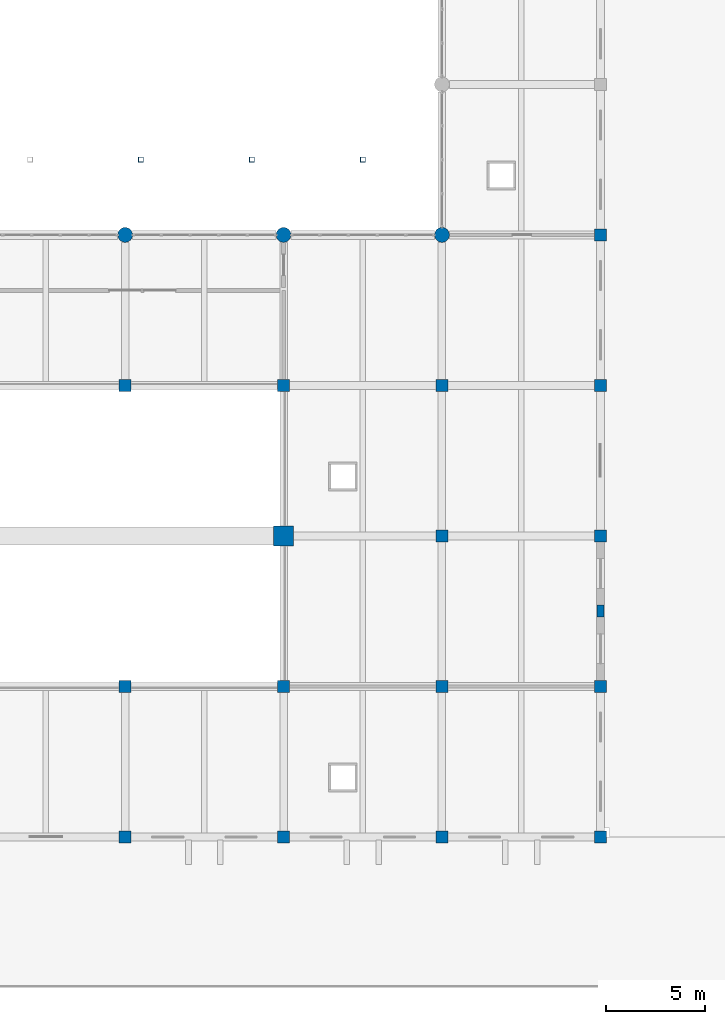
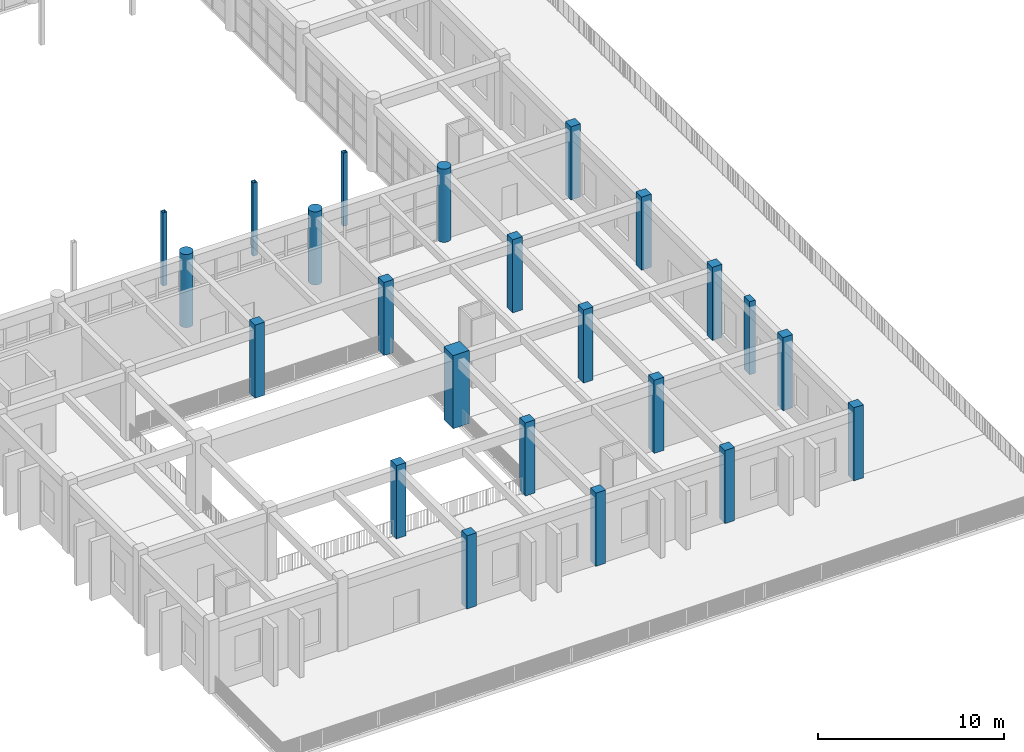
# One storey, part 4 of 101: 23 columns.
"""IFC4 building model written with IfcOpenShell, lengths in metres."""

from ifc_helpers import new_model, si_unit, direction, frame, origin, origin_2d, place, context, subcontext, project, spatial, rectangle, hollow_rectangle, circle, extrude, material, material_profile, profile_set, type_object, element, save


model = new_model("IFC4")

# Units and contexts
model_context = context("Model", 3, precision=1e-05, world=origin(), true_north=direction((0.0, 1.0)))
body_context = subcontext(model_context, "Body", "Model", "MODEL_VIEW")
ifc_project = project(units=[si_unit("LENGTHUNIT", "METRE"), si_unit("AREAUNIT", "SQUARE_METRE"), si_unit("VOLUMEUNIT", "CUBIC_METRE"), si_unit("PLANEANGLEUNIT", "RADIAN"), si_unit("MASSUNIT", "GRAM", prefix="KILO")], contexts=[model_context])

# Site, building, storey
site_placement = place(None, origin())
site = spatial("IfcSite", under=ifc_project, at=site_placement, CompositionType="ELEMENT")
building_placement = place(site_placement, origin())
building = spatial("IfcBuilding", under=site, at=building_placement, Name="Zantavel Square City Hall", CompositionType="ELEMENT")
storey_placement = place(building_placement, frame((0.0, 0.0, 5.39990234375)))
storey = spatial("IfcBuildingStorey", under=building, at=storey_placement, Name="L02", CompositionType="ELEMENT", Elevation=5.39990234375)

# Columns
ifc_material_1 = material(Name="Concrete C40/50", Category="concrete")
ifc_material_profile_1 = material_profile(ifc_material_1, rectangle(XDim=0.60009765625, YDim=0.35009765625, at=origin_2d()), Name="RC 600x350")
ifc_profile_set_1 = profile_set([ifc_material_profile_1], Name="Concrete C40/50")
column_type_1 = type_object("IfcColumnType", Name="Colossal Facade Pilaster 600x350 C40/50", PredefinedType="PILASTER", material=ifc_profile_set_1)
column_1_placement = place(storey_placement, frame((160.0, 19.0, 0.0), z_axis=(0.0, 0.0, 1.0), x_axis=(0.0, 1.0, 0.0)))
element("IfcColumn", 1, at=column_1_placement, inside=storey, type_object=column_type_1, Name="L02 Facade Pilaster PIL-L02-1600-0190", PredefinedType="PILASTER", context=body_context, shape_type="SweptSolid", body=[
    extrude(rectangle(XDim=0.60009765625, YDim=0.35009765625, at=origin_2d()), origin(), (0.0, 0.0, 1.0), 4.800048828125),
])
ifc_material_profile_2 = material_profile(ifc_material_1, rectangle(XDim=1.0, YDim=1.0, at=origin_2d()), Name="RC 1000x1000")
ifc_profile_set_2 = profile_set([ifc_material_profile_2], Name="Concrete C40/50")
column_type_2 = type_object("IfcColumnType", Name="Column RC 1000x1000 C40/50", PredefinedType="COLUMN", material=ifc_profile_set_2)
column_2_placement = place(storey_placement, frame((144.0, 22.800048828125, 0.0), z_axis=(0.0, 0.0, 1.0), x_axis=(1.0, 0.0, 0.0)))
element("IfcColumn", 2, at=column_2_placement, inside=storey, type_object=column_type_2, Name="L02 Column COL-L02-1440-0228", PredefinedType="COLUMN", context=body_context, shape_type="SweptSolid", body=[
    extrude(rectangle(XDim=1.0, YDim=1.0, at=origin_2d()), origin(), (0.0, 0.0, 1.0), 4.800048828125),
])
ifc_material_profile_3 = material_profile(ifc_material_1, rectangle(XDim=0.60009765625, YDim=0.60009765625, at=origin_2d()), Name="RC 600x600")
ifc_profile_set_3 = profile_set([ifc_material_profile_3], Name="Concrete C40/50")
column_type_3 = type_object("IfcColumnType", Name="Column RC 600x600 C40/50", PredefinedType="COLUMN", material=ifc_profile_set_3)
for number, where, z_axis, x_axis, name in (
    (3, (136.0, 7.60009765625, 0.0), (0.0, 0.0, 1.0), (1.0, 0.0, 0.0), "L02 Column COL-L02-1360-0076"),
    (4, (136.0, 15.199951171875, 0.0), (0.0, 0.0, 1.0), (1.0, 0.0, 0.0), "L02 Column COL-L02-1360-0152"),
    (5, (136.0, 30.39990234375, 0.0), (0.0, 0.0, 1.0), (1.0, 0.0, 0.0), "L02 Column COL-L02-1360-0304"),
    (6, (144.0, 7.60009765625, 0.0), (0.0, 0.0, 1.0), (1.0, 0.0, 0.0), "L02 Column COL-L02-1440-0076"),
    (7, (144.0, 15.199951171875, 0.0), (0.0, 0.0, 1.0), (1.0, 0.0, 0.0), "L02 Column COL-L02-1440-0152"),
    (8, (144.0, 30.39990234375, 0.0), (0.0, 0.0, 1.0), (1.0, 0.0, 0.0), "L02 Column COL-L02-1440-0304"),
    (9, (152.0, 7.60009765625, 0.0), (0.0, 0.0, 1.0), (1.0, 0.0, 0.0), "L02 Column COL-L02-1520-0076"),
    (10, (152.0, 15.199951171875, 0.0), (0.0, 0.0, 1.0), (1.0, 0.0, 0.0), "L02 Column COL-L02-1520-0152"),
    (11, (152.0, 22.800048828125, 0.0), (0.0, 0.0, 1.0), (1.0, 0.0, 0.0), "L02 Column COL-L02-1520-0228"),
    (12, (152.0, 30.39990234375, 0.0), (0.0, 0.0, 1.0), (1.0, 0.0, 0.0), "L02 Column COL-L02-1520-0304"),
    (13, (160.0, 7.60009765625, 0.0), (0.0, 0.0, 1.0), (1.0, 0.0, 0.0), "L02 Column COL-L02-1600-0076"),
    (14, (160.0, 15.199951171875, 0.0), (0.0, 0.0, 1.0), (1.0, 0.0, 0.0), "L02 Column COL-L02-1600-0152"),
    (15, (160.0, 22.800048828125, 0.0), (0.0, 0.0, 1.0), (1.0, 0.0, 0.0), "L02 Column COL-L02-1600-0228"),
    (16, (160.0, 30.39990234375, 0.0), (0.0, 0.0, 1.0), (1.0, 0.0, 0.0), "L02 Column COL-L02-1600-0304"),
    (17, (160.0, 38.0, 0.0), (0.0, 0.0, 1.0), (1.0, 0.0, 0.0), "L02 Column COL-L02-1600-0380"),
):
    element("IfcColumn", number, at=place(storey_placement, frame(where, z_axis=z_axis, x_axis=x_axis)), inside=storey, type_object=column_type_3, Name=name, PredefinedType="COLUMN", context=body_context, shape_type="SweptSolid", body=[
        extrude(rectangle(XDim=0.60009765625, YDim=0.60009765625, at=origin_2d()), origin(), (0.0, 0.0, 1.0), 4.800048828125),
    ])
ifc_material_profile_4 = material_profile(ifc_material_1, circle(Radius=0.375, at=origin_2d()), Name="ROUND D750")
ifc_profile_set_4 = profile_set([ifc_material_profile_4], Name="Concrete C40/50")
column_type_4 = type_object("IfcColumnType", Name="Courtyard Ionic Column D750 C40/50", PredefinedType="COLUMN", material=ifc_profile_set_4)
for number, where, z_axis, x_axis, name in (
    (18, (136.0, 38.0, 0.0), (0.0, 0.0, 1.0), (1.0, 0.0, 0.0), "L02 Column COL-L02-1360-0380"),
    (19, (144.0, 38.0, 0.0), (0.0, 0.0, 1.0), (1.0, 0.0, 0.0), "L02 Column COL-L02-1440-0380"),
    (20, (152.0, 38.0, 0.0), (0.0, 0.0, 1.0), (1.0, 0.0, 0.0), "L02 Column COL-L02-1520-0380"),
):
    element("IfcColumn", number, at=place(storey_placement, frame(where, z_axis=z_axis, x_axis=x_axis)), inside=storey, type_object=column_type_4, Name=name, PredefinedType="COLUMN", context=body_context, shape_type="SweptSolid", body=[
        extrude(circle(Radius=0.375, at=origin_2d()), origin(), (0.0, 0.0, 1.0), 4.800048828125),
    ])
ifc_material_2 = material(Name="Steel ASTM A500 Grade B", Category="steel")
ifc_material_profile_5 = material_profile(ifc_material_2, hollow_rectangle(XDim=0.25390625, YDim=0.25390625, WallThickness=0.0126953125, at=origin_2d()), Name="HSS 254x254x12.7")
ifc_profile_set_5 = profile_set([ifc_material_profile_5], Name="Steel ASTM A500 Grade B")
column_type_5 = type_object("IfcColumnType", Name="Pavilion Steel Column HSS254", PredefinedType="COLUMN", material=ifc_profile_set_5)
for number, where, z_axis, x_axis, name in (
    (21, (136.800048828125, 41.800048828125, 0.0), (0.0, 0.0, 1.0), (1.0, 0.0, 0.0), "L02 Courtyard Skylight Column 3-S"),
    (22, (142.39990234375, 41.800048828125, 0.0), (0.0, 0.0, 1.0), (1.0, 0.0, 0.0), "L02 Courtyard Skylight Column 4-S"),
    (23, (148.0, 41.800048828125, 0.0), (0.0, 0.0, 1.0), (1.0, 0.0, 0.0), "L02 Courtyard Skylight Column 5-S"),
):
    element("IfcColumn", number, at=place(storey_placement, frame(where, z_axis=z_axis, x_axis=x_axis)), inside=storey, type_object=column_type_5, Name=name, PredefinedType="COLUMN", context=body_context, shape_type="SweptSolid", body=[
        extrude(hollow_rectangle(XDim=0.25390625, YDim=0.25390625, WallThickness=0.0126953125, at=origin_2d()), origin(), (0.0, 0.0, 1.0), 4.800048828125),
    ])

save(model, "model.ifc")
